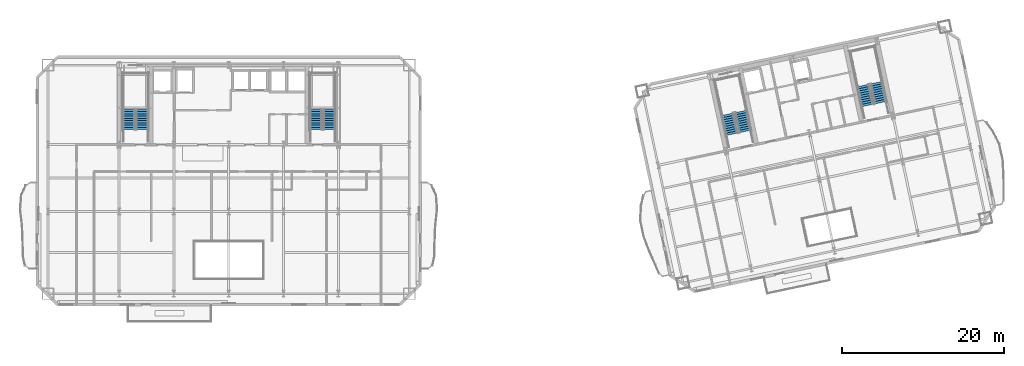
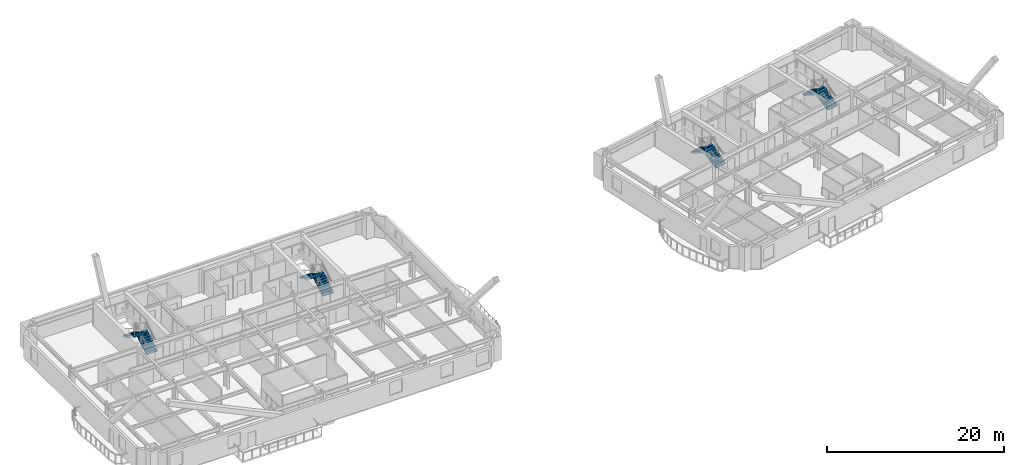
# One storey, part 10 of 15: 8 stair flights, 4 elements without a shape of their own.
"""IFC4 building model written with IfcOpenShell, lengths in metres."""

from ifc_helpers import new_model, si_unit, direction, frame, origin, place, context, subcontext, project, spatial, polyline, outline, extrude, material, type_object, element, aggregate, save


model = new_model("IFC4")

# Units and contexts
model_context = context("Model", 3, precision=1e-05, world=origin(), true_north=direction((0.0, 1.0)))
body_context = subcontext(model_context, "Body", "Model", "MODEL_VIEW")
ifc_project = project(units=[si_unit("LENGTHUNIT", "METRE"), si_unit("AREAUNIT", "SQUARE_METRE"), si_unit("VOLUMEUNIT", "CUBIC_METRE"), si_unit("PLANEANGLEUNIT", "RADIAN"), si_unit("MASSUNIT", "GRAM", prefix="KILO")], contexts=[model_context])

# Site, building, storey
site_placement = place(None, origin())
site = spatial("IfcSite", under=ifc_project, at=site_placement, CompositionType="ELEMENT")
building_placement = place(site_placement, origin())
building = spatial("IfcBuilding", under=site, at=building_placement, Name="Haevon Station Towers", CompositionType="ELEMENT")
storey_placement = place(building_placement, frame((0.0, 0.0, 103.199951171875)))
storey = spatial("IfcBuildingStorey", under=building, at=storey_placement, Name="L27", CompositionType="ELEMENT", Elevation=103.199951171875)

# Stair, stair flights
ifc_material = material(Name="Concrete C40/50", Category="concrete")
stair_type = type_object("IfcStairType", Name="STR-DL1450", PredefinedType="USERDEFINED", material=ifc_material)
stair_1_placement = place(storey_placement, origin())
stair_1 = element("IfcStair", 1, at=stair_1_placement, inside=storey, type_object=stair_type, Name="L27 Escape Stair ST1", ObjectType="TWO_RETURN_STAIR", PredefinedType="USERDEFINED")
stair_flight_type = type_object("IfcStairFlightType", Name="STF-ST1450", PredefinedType="STRAIGHT", material=ifc_material)
stair_flight_1_placement = place(storey_placement, frame((26.85498046875, 40.050048828125, 0.0), z_axis=(0.0, 0.0, 1.0), x_axis=(0.0, 1.0, 0.0)))
stair_flight_1 = element("IfcStairFlight", 2, at=stair_flight_1_placement, type_object=stair_flight_type, Name="L27 ST1 Flight 1", NumberOfRisers=10, NumberOfTreads=9, PredefinedType="STRAIGHT", RiserHeight=0.165, TreadLength=0.28, context=body_context, shape_type="SweptSolid", body=[
    extrude(outline(polyline([(0.0, 0.0), (0.0, 0.1650390625), (0.280029296875, 0.1650390625), (0.280029296875, 0.330078125), (0.56005859375, 0.330078125), (0.56005859375, 0.4951171875), (0.840087890625, 0.4951171875), (0.840087890625, 0.659912109375), (1.1201171875, 0.659912109375), (1.1201171875, 0.824951171875), (1.39990234375, 0.824951171875), (1.39990234375, 0.989990234375), (1.679931640625, 0.989990234375), (1.679931640625, 1.155029296875), (1.9599609375, 1.155029296875), (1.9599609375, 1.320068359375), (2.239990234375, 1.320068359375), (2.239990234375, 1.485107421875), (2.52001953125, 1.485107421875), (2.52001953125, 1.64990234375), (2.52001953125, 1.29931640625), (0.31494140625, 0.0), (0.0, 0.0)])), frame((0.0, 0.72509765625, 0.0), z_axis=(0.0, -1.0, 0.0), x_axis=(1.0, 0.0, 0.0)), (0.0, 0.0, 1.0), 1.449951171875),
])
stair_flight_2_placement = place(storey_placement, frame((25.205078125, 42.570068359375, 1.650146484375), z_axis=(0.0, 0.0, 1.0), x_axis=(0.0, -1.0, 0.0)))
stair_flight_2 = element("IfcStairFlight", 3, at=stair_flight_2_placement, type_object=stair_flight_type, Name="L27 ST1 Flight 2", NumberOfRisers=10, NumberOfTreads=9, PredefinedType="STRAIGHT", RiserHeight=0.165, TreadLength=0.28, context=body_context, shape_type="SweptSolid", body=[
    extrude(outline(polyline([(0.0, 0.0), (0.0, 0.1650390625), (0.280029296875, 0.1650390625), (0.280029296875, 0.330078125), (0.56005859375, 0.330078125), (0.56005859375, 0.4951171875), (0.840087890625, 0.4951171875), (0.840087890625, 0.659912109375), (1.1201171875, 0.659912109375), (1.1201171875, 0.824951171875), (1.39990234375, 0.824951171875), (1.39990234375, 0.989990234375), (1.679931640625, 0.989990234375), (1.679931640625, 1.155029296875), (1.9599609375, 1.155029296875), (1.9599609375, 1.320068359375), (2.239990234375, 1.320068359375), (2.239990234375, 1.485107421875), (2.52001953125, 1.485107421875), (2.52001953125, 1.64990234375), (2.52001953125, 1.29931640625), (0.31494140625, 0.0), (0.0, 0.0)])), frame((0.0, 0.72509765625, 0.0), z_axis=(0.0, -1.0, 0.0), x_axis=(1.0, 0.0, 0.0)), (0.0, 0.0, 1.0), 1.449951171875),
])
aggregate(stair_1, [stair_flight_1, stair_flight_2])

stair_2_placement = place(storey_placement, origin())
stair_2 = element("IfcStair", 4, at=stair_2_placement, inside=storey, type_object=stair_type, Name="L27 Escape Stair ST2", ObjectType="TWO_RETURN_STAIR", PredefinedType="USERDEFINED")
stair_flight_3_placement = place(storey_placement, frame((49.89501953125, 40.050048828125, 0.0), z_axis=(0.0, 0.0, 1.0), x_axis=(0.0, 1.0, 0.0)))
stair_flight_3 = element("IfcStairFlight", 5, at=stair_flight_3_placement, type_object=stair_flight_type, Name="L27 ST2 Flight 1", NumberOfRisers=10, NumberOfTreads=9, PredefinedType="STRAIGHT", RiserHeight=0.165, TreadLength=0.28, context=body_context, shape_type="SweptSolid", body=[
    extrude(outline(polyline([(0.0, 0.0), (0.0, 0.1650390625), (0.280029296875, 0.1650390625), (0.280029296875, 0.330078125), (0.56005859375, 0.330078125), (0.56005859375, 0.4951171875), (0.840087890625, 0.4951171875), (0.840087890625, 0.659912109375), (1.1201171875, 0.659912109375), (1.1201171875, 0.824951171875), (1.39990234375, 0.824951171875), (1.39990234375, 0.989990234375), (1.679931640625, 0.989990234375), (1.679931640625, 1.155029296875), (1.9599609375, 1.155029296875), (1.9599609375, 1.320068359375), (2.239990234375, 1.320068359375), (2.239990234375, 1.485107421875), (2.52001953125, 1.485107421875), (2.52001953125, 1.64990234375), (2.52001953125, 1.29931640625), (0.31494140625, 0.0), (0.0, 0.0)])), frame((0.0, 0.72509765625, 0.0), z_axis=(0.0, -1.0, 0.0), x_axis=(1.0, 0.0, 0.0)), (0.0, 0.0, 1.0), 1.449951171875),
])
stair_flight_4_placement = place(storey_placement, frame((48.2451171875, 42.570068359375, 1.650146484375), z_axis=(0.0, 0.0, 1.0), x_axis=(0.0, -1.0, 0.0)))
stair_flight_4 = element("IfcStairFlight", 6, at=stair_flight_4_placement, type_object=stair_flight_type, Name="L27 ST2 Flight 2", NumberOfRisers=10, NumberOfTreads=9, PredefinedType="STRAIGHT", RiserHeight=0.165, TreadLength=0.28, context=body_context, shape_type="SweptSolid", body=[
    extrude(outline(polyline([(0.0, 0.0), (0.0, 0.1650390625), (0.280029296875, 0.1650390625), (0.280029296875, 0.330078125), (0.56005859375, 0.330078125), (0.56005859375, 0.4951171875), (0.840087890625, 0.4951171875), (0.840087890625, 0.659912109375), (1.1201171875, 0.659912109375), (1.1201171875, 0.824951171875), (1.39990234375, 0.824951171875), (1.39990234375, 0.989990234375), (1.679931640625, 0.989990234375), (1.679931640625, 1.155029296875), (1.9599609375, 1.155029296875), (1.9599609375, 1.320068359375), (2.239990234375, 1.320068359375), (2.239990234375, 1.485107421875), (2.52001953125, 1.485107421875), (2.52001953125, 1.64990234375), (2.52001953125, 1.29931640625), (0.31494140625, 0.0), (0.0, 0.0)])), frame((0.0, 0.72509765625, 0.0), z_axis=(0.0, -1.0, 0.0), x_axis=(1.0, 0.0, 0.0)), (0.0, 0.0, 1.0), 1.449951171875),
])
aggregate(stair_2, [stair_flight_3, stair_flight_4])

stair_3_placement = place(storey_placement, origin())
stair_3 = element("IfcStair", 7, at=stair_3_placement, inside=storey, type_object=stair_type, Name="L27 Escape Stair ST3", ObjectType="TWO_RETURN_STAIR", PredefinedType="USERDEFINED")
stair_flight_5_placement = place(storey_placement, frame((101.1015625, 39.8330078125, 0.0), z_axis=(0.0, 0.0, 1.0), x_axis=(-0.207911690818, 0.978147600734, 0.0)))
stair_flight_5 = element("IfcStairFlight", 8, at=stair_flight_5_placement, type_object=stair_flight_type, Name="L27 ST3 Flight 1", NumberOfRisers=10, NumberOfTreads=9, PredefinedType="STRAIGHT", RiserHeight=0.165, TreadLength=0.28, context=body_context, shape_type="SweptSolid", body=[
    extrude(outline(polyline([(0.0, 0.0), (0.0, 0.1650390625), (0.280029296875, 0.1650390625), (0.280029296875, 0.330078125), (0.56005859375, 0.330078125), (0.56005859375, 0.4951171875), (0.840087890625, 0.4951171875), (0.840087890625, 0.659912109375), (1.1201171875, 0.659912109375), (1.1201171875, 0.824951171875), (1.39990234375, 0.824951171875), (1.39990234375, 0.989990234375), (1.679931640625, 0.989990234375), (1.679931640625, 1.155029296875), (1.9599609375, 1.155029296875), (1.9599609375, 1.320068359375), (2.239990234375, 1.320068359375), (2.239990234375, 1.485107421875), (2.52001953125, 1.485107421875), (2.52001953125, 1.64990234375), (2.52001953125, 1.29931640625), (0.31494140625, 0.0), (0.0, 0.0)])), frame((0.0, 0.72509765625, 0.0), z_axis=(0.0, -1.0, 0.0), x_axis=(1.0, 0.0, 0.0)), (0.0, 0.0, 1.0), 1.449951171875),
])
stair_flight_6_placement = place(storey_placement, frame((98.9638671875, 41.955078125, 1.650146484375), z_axis=(0.0, 0.0, 1.0), x_axis=(0.207911690818, -0.978147600734, 0.0)))
stair_flight_6 = element("IfcStairFlight", 9, at=stair_flight_6_placement, type_object=stair_flight_type, Name="L27 ST3 Flight 2", NumberOfRisers=10, NumberOfTreads=9, PredefinedType="STRAIGHT", RiserHeight=0.165, TreadLength=0.28, context=body_context, shape_type="SweptSolid", body=[
    extrude(outline(polyline([(0.0, 0.0), (0.0, 0.1650390625), (0.280029296875, 0.1650390625), (0.280029296875, 0.330078125), (0.56005859375, 0.330078125), (0.56005859375, 0.4951171875), (0.840087890625, 0.4951171875), (0.840087890625, 0.659912109375), (1.1201171875, 0.659912109375), (1.1201171875, 0.824951171875), (1.39990234375, 0.824951171875), (1.39990234375, 0.989990234375), (1.679931640625, 0.989990234375), (1.679931640625, 1.155029296875), (1.9599609375, 1.155029296875), (1.9599609375, 1.320068359375), (2.239990234375, 1.320068359375), (2.239990234375, 1.485107421875), (2.52001953125, 1.485107421875), (2.52001953125, 1.64990234375), (2.52001953125, 1.29931640625), (0.31494140625, 0.0), (0.0, 0.0)])), frame((0.0, 0.72509765625, 0.0), z_axis=(0.0, -1.0, 0.0), x_axis=(1.0, 0.0, 0.0)), (0.0, 0.0, 1.0), 1.449951171875),
])
aggregate(stair_3, [stair_flight_5, stair_flight_6])

stair_4_placement = place(storey_placement, origin())
stair_4 = element("IfcStair", 10, at=stair_4_placement, inside=storey, type_object=stair_type, Name="L27 Escape Stair ST4", ObjectType="TWO_RETURN_STAIR", PredefinedType="USERDEFINED")
stair_flight_7_placement = place(storey_placement, frame((117.788818359375, 43.380126953125, 0.0), z_axis=(0.0, 0.0, 1.0), x_axis=(-0.207911690818, 0.978147600734, 0.0)))
stair_flight_7 = element("IfcStairFlight", 11, at=stair_flight_7_placement, type_object=stair_flight_type, Name="L27 ST4 Flight 1", NumberOfRisers=10, NumberOfTreads=9, PredefinedType="STRAIGHT", RiserHeight=0.165, TreadLength=0.28, context=body_context, shape_type="SweptSolid", body=[
    extrude(outline(polyline([(0.0, 0.0), (0.0, 0.1650390625), (0.280029296875, 0.1650390625), (0.280029296875, 0.330078125), (0.56005859375, 0.330078125), (0.56005859375, 0.4951171875), (0.840087890625, 0.4951171875), (0.840087890625, 0.659912109375), (1.1201171875, 0.659912109375), (1.1201171875, 0.824951171875), (1.39990234375, 0.824951171875), (1.39990234375, 0.989990234375), (1.679931640625, 0.989990234375), (1.679931640625, 1.155029296875), (1.9599609375, 1.155029296875), (1.9599609375, 1.320068359375), (2.239990234375, 1.320068359375), (2.239990234375, 1.485107421875), (2.52001953125, 1.485107421875), (2.52001953125, 1.64990234375), (2.52001953125, 1.29931640625), (0.31494140625, 0.0), (0.0, 0.0)])), frame((0.0, 0.72509765625, 0.0), z_axis=(0.0, -1.0, 0.0), x_axis=(1.0, 0.0, 0.0)), (0.0, 0.0, 1.0), 1.449951171875),
])
stair_flight_8_placement = place(storey_placement, frame((115.65087890625, 45.501953125, 1.650146484375), z_axis=(0.0, 0.0, 1.0), x_axis=(0.207911690818, -0.978147600734, 0.0)))
stair_flight_8 = element("IfcStairFlight", 12, at=stair_flight_8_placement, type_object=stair_flight_type, Name="L27 ST4 Flight 2", NumberOfRisers=10, NumberOfTreads=9, PredefinedType="STRAIGHT", RiserHeight=0.165, TreadLength=0.28, context=body_context, shape_type="SweptSolid", body=[
    extrude(outline(polyline([(0.0, 0.0), (0.0, 0.1650390625), (0.280029296875, 0.1650390625), (0.280029296875, 0.330078125), (0.56005859375, 0.330078125), (0.56005859375, 0.4951171875), (0.840087890625, 0.4951171875), (0.840087890625, 0.659912109375), (1.1201171875, 0.659912109375), (1.1201171875, 0.824951171875), (1.39990234375, 0.824951171875), (1.39990234375, 0.989990234375), (1.679931640625, 0.989990234375), (1.679931640625, 1.155029296875), (1.9599609375, 1.155029296875), (1.9599609375, 1.320068359375), (2.239990234375, 1.320068359375), (2.239990234375, 1.485107421875), (2.52001953125, 1.485107421875), (2.52001953125, 1.64990234375), (2.52001953125, 1.29931640625), (0.31494140625, 0.0), (0.0, 0.0)])), frame((0.0, 0.72509765625, 0.0), z_axis=(0.0, -1.0, 0.0), x_axis=(1.0, 0.0, 0.0)), (0.0, 0.0, 1.0), 1.449951171875),
])
aggregate(stair_4, [stair_flight_7, stair_flight_8])

save(model, "model.ifc")
